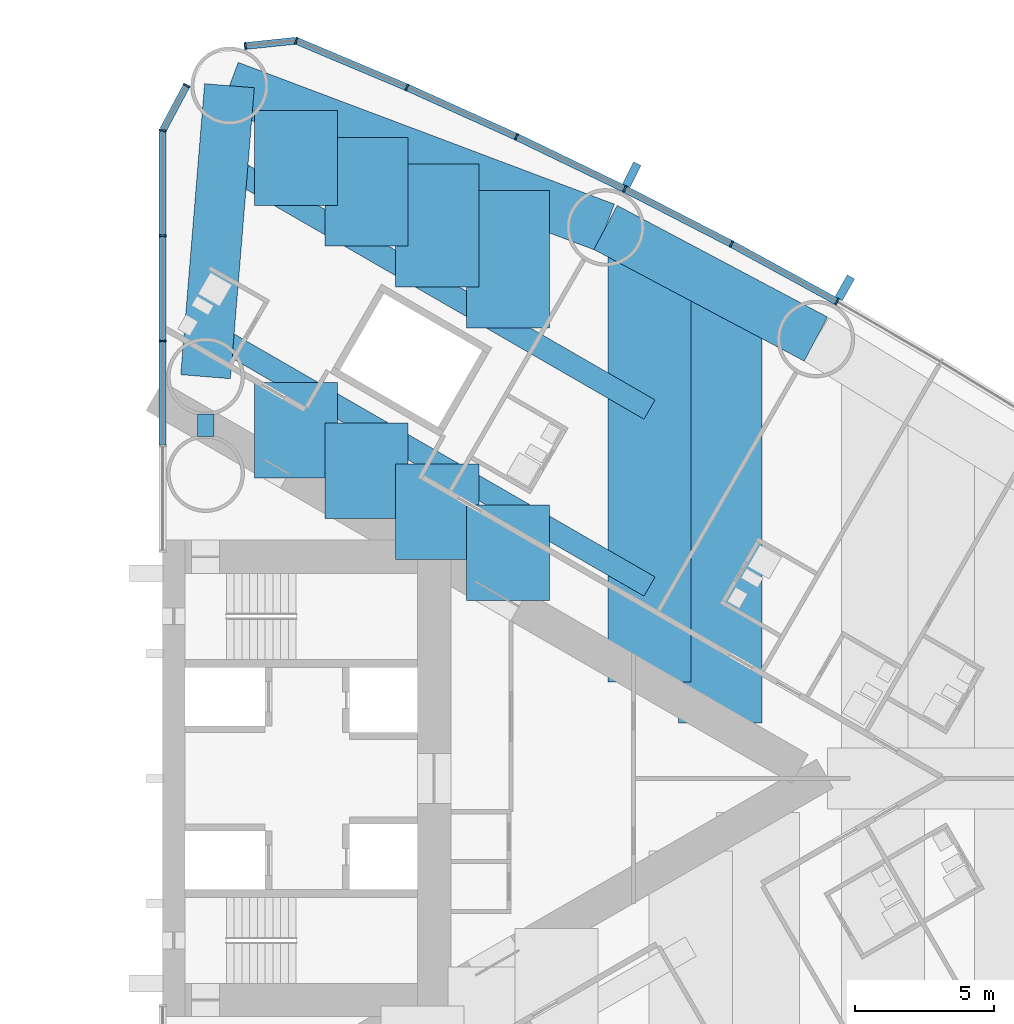
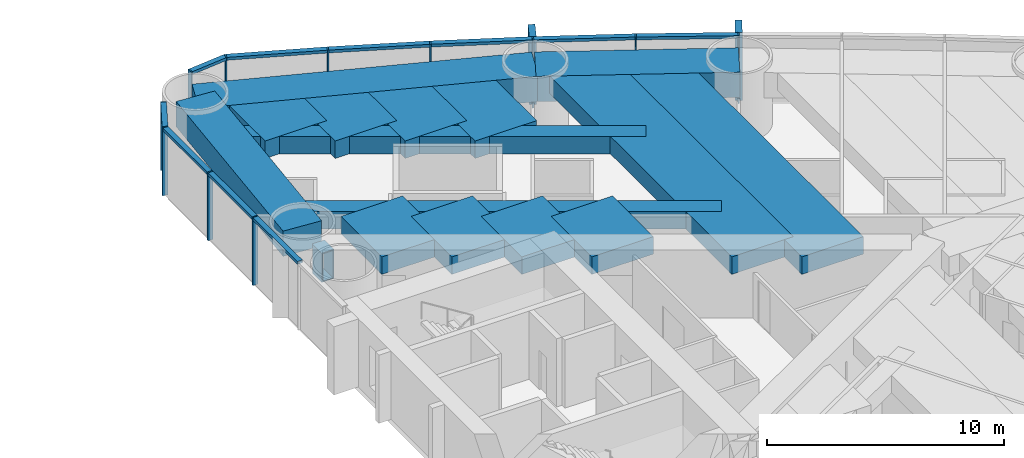
# One storey, part 7 of 19: 23 members, 16 beams, 2 elements without a shape of their own.
"""IFC4 building model written with IfcOpenShell, lengths in metres."""

import ifcopenshell
import ifcopenshell.guid

model = None  # the IFC model being written
_history = None  # IfcOwnerHistory: only IFC2X3 demands one
_inside = {}  # id of a spatial element -> (the spatial element, [elements in it])
_under = {}  # id of a project, library or spatial element -> (it, [spatial elements below it])
_declared = {}  # id of a project -> (the project, [libraries it declares])
_typed = {}  # id of a type object -> (the type object, [elements of that type])
_made_of = {}  # id of a material, layer set ... -> (it, [elements and type objects made of it])


def new_model(schema):
    """Start an empty IFC model of exactly this schema.

    Asked for "IFC4X3", IfcOpenShell would pick the latest addendum, in which some entities
    have other attributes; the version numbers below select the first issue.
    IFC2X3 requires an IfcOwnerHistory on every rooted entity: one is made here for all.
    """
    global model, _history
    if schema == "IFC4X3":
        model = ifcopenshell.file(schema_version=(4, 3, 0, 0))
    else:
        model = ifcopenshell.file(schema=schema)
    _inside.clear()
    _under.clear()
    _declared.clear()
    _typed.clear()
    _made_of.clear()
    _history = None
    if model.schema == "IFC2X3":
        org = make("IfcOrganization", Name="unknown")
        user = make(
            "IfcPersonAndOrganization",
            ThePerson=make("IfcPerson", FamilyName="unknown"),
            TheOrganization=org,
        )
        app = make(
            "IfcApplication",
            ApplicationDeveloper=org,
            Version="unknown",
            ApplicationFullName="unknown",
            ApplicationIdentifier="unknown",
        )
        _history = make(
            "IfcOwnerHistory",
            OwningUser=user,
            OwningApplication=app,
            ChangeAction="ADDED",
            CreationDate=0,
        )
    return model


def make(cls, **values):
    """One entity of the class cls with the attributes given. An attribute that is None is left unset."""
    return model.create_entity(
        cls, **{name: value for name, value in values.items() if value is not None}
    )


def rooted(cls, **values):
    """An entity with a GlobalId (a new one), such as an element, a storey or a relation."""
    return make(cls, GlobalId=ifcopenshell.guid.new(), OwnerHistory=_history, **values)


def si_unit(unit_type, name, prefix=None):
    """IfcSIUnit, for example si_unit("LENGTHUNIT", "METRE", prefix="MILLI")."""
    return make("IfcSIUnit", UnitType=unit_type, Prefix=prefix, Name=name)


def assignment(units):
    """IfcUnitAssignment: the units of a project."""
    return None if units is None else make("IfcUnitAssignment", Units=units)


def point(xyz):
    """IfcCartesianPoint."""
    return None if xyz is None else make("IfcCartesianPoint", Coordinates=xyz)


def direction(xyz):
    """IfcDirection."""
    return None if xyz is None else make("IfcDirection", DirectionRatios=xyz)


def frame(location, z_axis=None, x_axis=None):
    """IfcAxis2Placement3D, a coordinate frame: its origin and axes. An axis left out is left unset."""
    return make(
        "IfcAxis2Placement3D",
        Location=point(location),
        Axis=direction(z_axis),
        RefDirection=direction(x_axis),
    )


def frame_2d(location, x_axis=None):
    """IfcAxis2Placement2D, a coordinate frame in the plane: its origin and x axis."""
    return make(
        "IfcAxis2Placement2D", Location=point(location), RefDirection=direction(x_axis)
    )


def origin():
    """The frame at (0, 0, 0) with its axes left unset."""
    return frame((0.0, 0.0, 0.0))


def origin_2d():
    """The frame at (0, 0) in the plane with its x axis left unset."""
    return frame_2d((0.0, 0.0))


def place(relative_to, where):
    """IfcLocalPlacement: puts the frame where relative to a parent placement (None: the world)."""
    return make(
        "IfcLocalPlacement", PlacementRelTo=relative_to, RelativePlacement=where
    )


def context(
    kind, dimensions, precision=None, world=None, true_north=None, identifier=None
):
    """IfcGeometricRepresentationContext, for example the 3D "Model" context."""
    return make(
        "IfcGeometricRepresentationContext",
        ContextIdentifier=identifier,
        ContextType=kind,
        CoordinateSpaceDimension=dimensions,
        Precision=precision,
        WorldCoordinateSystem=world,
        TrueNorth=true_north,
    )


def subcontext(parent, identifier, kind, view, scale=None):
    """IfcGeometricRepresentationSubContext, for example "Body" below "Model"."""
    return make(
        "IfcGeometricRepresentationSubContext",
        ContextIdentifier=identifier,
        ContextType=kind,
        ParentContext=parent,
        TargetScale=scale,
        TargetView=view,
    )


def project(units=None, contexts=None):
    """IfcProject with its units and contexts."""
    return rooted(
        "IfcProject",
        Name="project",
        RepresentationContexts=contexts,
        UnitsInContext=assignment(units),
    )


def spatial(cls, under=None, at=None, **own):
    """A site, building, storey or space (cls), placed at a placement, below another one or the project."""
    s = rooted(cls, ObjectPlacement=at, **own)
    if under is not None:
        _under.setdefault(under.id(), (under, []))[1].append(s)
    return s


def profile(cls, at=None, kind="AREA", **sizes):
    """A parametric profile (cls). Its sizes go by their IFC names, for example OverallWidth=200.0."""
    return make(cls, ProfileType=kind, Position=at, **sizes)


def rectangle(**sizes):
    """IfcRectangleProfileDef."""
    return profile("IfcRectangleProfileDef", **sizes)


def hollow_rectangle(**sizes):
    """IfcRectangleHollowProfileDef."""
    return profile("IfcRectangleHollowProfileDef", **sizes)


def extrude(swept, where, along, depth):
    """IfcExtrudedAreaSolid: the profile swept, set in the frame where, extruded along a direction by depth."""
    return make(
        "IfcExtrudedAreaSolid",
        SweptArea=swept,
        Position=where,
        ExtrudedDirection=direction(along),
        Depth=depth,
    )


def shape(context_of_items, identifier, shape_type, items):
    """IfcShapeRepresentation: the items that make up one representation, for example the "Body"."""
    return make(
        "IfcShapeRepresentation",
        ContextOfItems=context_of_items,
        RepresentationIdentifier=identifier,
        RepresentationType=shape_type,
        Items=items,
    )


def material(Name=None, Category=None):
    """IfcMaterial."""
    return make("IfcMaterial", Name=Name, Category=Category)


def material_profile(
    of_material, cross_section, Name=None, Category=None, Priority=None
):
    """IfcMaterialProfile: a cross section and its material."""
    return make(
        "IfcMaterialProfile",
        Name=Name,
        Material=of_material,
        Profile=cross_section,
        Priority=Priority,
        Category=Category,
    )


def profile_set(profiles, Name=None, composite=None):
    """IfcMaterialProfileSet."""
    return make(
        "IfcMaterialProfileSet",
        Name=Name,
        MaterialProfiles=profiles,
        CompositeProfile=composite,
    )


def made_of(thing, what):
    """Note that an element or type object is made of a material, layer set ...; save() writes the relation."""
    if what is not None:
        _made_of.setdefault(what.id(), (what, []))[1].append(thing)
    return thing


def type_object(cls, material=None, **own):
    """A type object (cls), such as IfcWallType, which elements share."""
    return made_of(rooted(cls, **own), material)


def element(
    cls,
    number,
    at=None,
    inside=None,
    cuts=None,
    type_object=None,
    material=None,
    context=None,
    identifier="Body",
    shape_type=None,
    held_by="IfcProductDefinitionShape",
    body=None,
    shapes=None,
    **own,
):
    """One element of the class cls, such as IfcWall. Its Tag is "e" and its number.

    at: its placement. inside: the storey or other place that contains it. cuts: it is an
    opening in that element (IfcRelVoidsElement). A single representation is given by context,
    identifier, shape_type and body (its items); several are given by shapes. held_by: the class
    of the entity that holds the representations. save() writes the other relations.
    """
    e = rooted(cls, Tag="e%d" % number, ObjectPlacement=at, **own)
    if body is not None:
        shapes = [shape(context, identifier, shape_type, body)]
    if shapes is not None:
        e.Representation = make(held_by, Representations=shapes)
    if inside is not None:
        _inside.setdefault(inside.id(), (inside, []))[1].append(e)
    if cuts is not None:
        rooted(
            "IfcRelVoidsElement", RelatingBuildingElement=cuts, RelatedOpeningElement=e
        )
    if type_object is not None:
        _typed.setdefault(type_object.id(), (type_object, []))[1].append(e)
    return made_of(e, material)


def aggregate(whole, parts):
    """IfcRelAggregates: a whole, such as a stair, and the parts it consists of."""
    return rooted("IfcRelAggregates", RelatingObject=whole, RelatedObjects=parts)


def save(model, path):
    """Write the relations noted so far, then the file.

    IfcRelAggregates (storeys below a building ...), IfcRelContainedInSpatialStructure (elements
    in a storey), IfcRelDefinesByType, IfcRelAssociatesMaterial and IfcRelDeclares: one each for
    every whole, place, type object, material and project.
    """
    for whole, parts in _under.values():
        aggregate(whole, parts)
    for where, things in _inside.values():
        rooted(
            "IfcRelContainedInSpatialStructure",
            RelatedElements=things,
            RelatingStructure=where,
        )
    for kind, things in _typed.values():
        rooted("IfcRelDefinesByType", RelatedObjects=things, RelatingType=kind)
    for what, things in _made_of.values():
        rooted("IfcRelAssociatesMaterial", RelatedObjects=things, RelatingMaterial=what)
    for by, libraries in _declared.values():
        rooted("IfcRelDeclares", RelatingContext=by, RelatedDefinitions=libraries)
    model.write(path)


model = new_model("IFC4")

# Units and contexts
model_context = context("Model", 3, precision=1e-05, world=origin(), true_north=direction((0.0, 1.0)))
body_context = subcontext(model_context, "Body", "Model", "MODEL_VIEW")
ifc_project = project(units=[si_unit("LENGTHUNIT", "METRE"), si_unit("AREAUNIT", "SQUARE_METRE"), si_unit("VOLUMEUNIT", "CUBIC_METRE"), si_unit("PLANEANGLEUNIT", "RADIAN"), si_unit("MASSUNIT", "GRAM", prefix="KILO")], contexts=[model_context])

# Site, building, storey
site_placement = place(None, origin())
site = spatial("IfcSite", under=ifc_project, at=site_placement, CompositionType="ELEMENT")
building_placement = place(site_placement, origin())
building = spatial("IfcBuilding", under=site, at=building_placement, Name="Lancet Gate Hotel", CompositionType="ELEMENT")
storey_placement = place(building_placement, frame((0.0, 0.0, 18.0)))
storey = spatial("IfcBuildingStorey", under=building, at=storey_placement, Name="L03", CompositionType="ELEMENT", Elevation=18.0)

# Curtain wall, members
ifc_material_1 = material(Name="Aluminium curtain wall", Category="aluminium")
curtain_wall_type = type_object("IfcCurtainWallType", Name="Tower unitised curtain wall", PredefinedType="USERDEFINED", material=ifc_material_1)
curtain_wall_1_placement = place(storey_placement, origin())
curtain_wall_1 = element("IfcCurtainWall", 1, at=curtain_wall_1_placement, inside=storey, type_object=curtain_wall_type, Name="T2 L03 curtain wall 3", ObjectType="UNITISED CURTAIN WALL", PredefinedType="USERDEFINED")
ifc_material_2 = material(Name="Aluminium mullion", Category="aluminium")
ifc_material_profile_1 = material_profile(ifc_material_2, rectangle(XDim=0.06494140625, YDim=0.25, at=origin_2d()), Name="MULLION 65x250")
ifc_profile_set_1 = profile_set([ifc_material_profile_1], Name="Aluminium mullion")
member_type_1 = type_object("IfcMemberType", Name="Aluminium mullion 65x250", PredefinedType="MULLION", material=ifc_profile_set_1)
member_1_placement = place(storey_placement, frame((51.838623046875, 17.208740234375, 0.0), z_axis=(0.0, 0.0, 1.0), x_axis=(-0.871190450382, 0.490945209941, 0.0)))
member_1 = element("IfcMember", 2, at=member_1_placement, type_object=member_type_1, Name="T2 L03 curtain wall 3 mullion 8", PredefinedType="MULLION", context=body_context, shape_type="SweptSolid", body=[
    extrude(rectangle(XDim=0.06494140625, YDim=0.25, at=origin_2d()), origin(), (0.0, 0.0, 1.0), 3.5),
])
member_2_placement = place(storey_placement, frame((48.03271484375, 19.2900390625, 0.0), z_axis=(0.0, 0.0, 1.0), x_axis=(-0.88340346743, 0.468613181347, 0.0)))
member_2 = element("IfcMember", 3, at=member_2_placement, type_object=member_type_1, Name="T2 L03 curtain wall 3 mullion 9", PredefinedType="MULLION", context=body_context, shape_type="SweptSolid", body=[
    extrude(rectangle(XDim=0.06494140625, YDim=0.25, at=origin_2d()), origin(), (0.0, 0.0, 1.0), 3.5),
])
member_3_placement = place(storey_placement, frame((44.17529296875, 21.273681640625, 0.0), z_axis=(0.0, 0.0, 1.0), x_axis=(-0.895044147438, 0.445977548917, 0.0)))
member_3 = element("IfcMember", 4, at=member_3_placement, type_object=member_type_1, Name="T2 L03 curtain wall 3 mullion 10", PredefinedType="MULLION", context=body_context, shape_type="SweptSolid", body=[
    extrude(rectangle(XDim=0.06494140625, YDim=0.25, at=origin_2d()), origin(), (0.0, 0.0, 1.0), 3.5),
])
member_4_placement = place(storey_placement, frame((40.2685546875, 23.15869140625, 0.0), z_axis=(0.0, 0.0, 1.0), x_axis=(-0.906104948671, 0.423052977762, 0.0)))
member_4 = element("IfcMember", 5, at=member_4_placement, type_object=member_type_1, Name="T2 L03 curtain wall 3 mullion 11", PredefinedType="MULLION", context=body_context, shape_type="SweptSolid", body=[
    extrude(rectangle(XDim=0.06494140625, YDim=0.25, at=origin_2d()), origin(), (0.0, 0.0, 1.0), 3.5),
])
member_5_placement = place(storey_placement, frame((36.31494140625, 24.943603515625, 0.0), z_axis=(0.0, 0.0, 1.0), x_axis=(-0.916578705089, 0.399854320193, 0.0)))
member_5 = element("IfcMember", 6, at=member_5_placement, type_object=member_type_1, Name="T2 L03 curtain wall 3 mullion 12", PredefinedType="MULLION", context=body_context, shape_type="SweptSolid", body=[
    extrude(rectangle(XDim=0.06494140625, YDim=0.25, at=origin_2d()), origin(), (0.0, 0.0, 1.0), 3.5),
])
member_6_placement = place(storey_placement, frame((32.3173828125, 26.62744140625, 0.0), z_axis=(0.0, 0.0, 1.0), x_axis=(-0.968721492963, 0.248150496819, 0.0)))
member_6 = element("IfcMember", 7, at=member_6_placement, type_object=member_type_1, Name="T2 L03 curtain wall 3 mullion 13", PredefinedType="MULLION", context=body_context, shape_type="SweptSolid", body=[
    extrude(rectangle(XDim=0.06494140625, YDim=0.25, at=origin_2d()), origin(), (0.0, 0.0, 1.0), 3.5),
])
member_7_placement = place(storey_placement, frame((30.48388671875, 26.4375, 0.0), z_axis=(0.0, 0.0, 1.0), x_axis=(-0.994672262412, -0.10308778001, 0.0)))
member_7 = element("IfcMember", 8, at=member_7_placement, type_object=member_type_1, Name="T2 L03 curtain wall 3 mullion 14", PredefinedType="MULLION", context=body_context, shape_type="SweptSolid", body=[
    extrude(rectangle(XDim=0.06494140625, YDim=0.25, at=origin_2d()), origin(), (0.0, 0.0, 1.0), 3.5),
])

curtain_wall_2_placement = place(storey_placement, origin())
curtain_wall_2 = element("IfcCurtainWall", 9, at=curtain_wall_2_placement, inside=storey, type_object=curtain_wall_type, Name="T2 L03 curtain wall 4", ObjectType="UNITISED CURTAIN WALL", PredefinedType="USERDEFINED")
member_8_placement = place(storey_placement, frame((28.366455078125, 25.012451171875, 0.0), z_axis=(0.0, 0.0, 1.0), x_axis=(-0.469897827284, -0.882720811987, 0.0)))
member_8 = element("IfcMember", 10, at=member_8_placement, type_object=member_type_1, Name="T2 L03 curtain wall 4 mullion 1", PredefinedType="MULLION", context=body_context, shape_type="SweptSolid", body=[
    extrude(rectangle(XDim=0.06494140625, YDim=0.25, at=origin_2d()), origin(), (0.0, 0.0, 1.0), 3.5),
])
member_9_placement = place(storey_placement, frame((27.5, 23.384765625, 0.0), z_axis=(0.0, 0.0, 1.0), x_axis=(-0.157751691459, -0.987478811844, 0.0)))
member_9 = element("IfcMember", 11, at=member_9_placement, type_object=member_type_1, Name="T2 L03 curtain wall 4 mullion 2", PredefinedType="MULLION", context=body_context, shape_type="SweptSolid", body=[
    extrude(rectangle(XDim=0.06494140625, YDim=0.25, at=origin_2d()), origin(), (0.0, 0.0, 1.0), 3.5),
])
member_10_placement = place(storey_placement, frame((27.5, 19.588623046875, 0.0), z_axis=(0.0, 0.0, 1.0), x_axis=(0.0, -1.0, 0.0)))
member_10 = element("IfcMember", 12, at=member_10_placement, type_object=member_type_1, Name="T2 L03 curtain wall 4 mullion 3", PredefinedType="MULLION", context=body_context, shape_type="SweptSolid", body=[
    extrude(rectangle(XDim=0.06494140625, YDim=0.25, at=origin_2d()), origin(), (0.0, 0.0, 1.0), 3.5),
])
member_11_placement = place(storey_placement, frame((27.5, 15.79248046875, 0.0), z_axis=(0.0, 0.0, 1.0), x_axis=(0.0, -1.0, 0.0)))
member_11 = element("IfcMember", 13, at=member_11_placement, type_object=member_type_1, Name="T2 L03 curtain wall 4 mullion 4", PredefinedType="MULLION", context=body_context, shape_type="SweptSolid", body=[
    extrude(rectangle(XDim=0.06494140625, YDim=0.25, at=origin_2d()), origin(), (0.0, 0.0, 1.0), 3.5),
])

# Member
ifc_material_3 = material(Name="Aluminium transom", Category="aluminium")
ifc_material_profile_2 = material_profile(ifc_material_3, rectangle(XDim=0.25, YDim=0.14990234375, at=origin_2d()), Name="TRANSOM 250x150")
ifc_profile_set_2 = profile_set([ifc_material_profile_2], Name="Aluminium transom")
member_type_2 = type_object("IfcMemberType", Name="Aluminium transom 250x150", PredefinedType="USERDEFINED", material=ifc_profile_set_2)
member_12_placement = place(storey_placement, frame((51.81005859375, 17.224365234375, 3.425048828125), z_axis=(-0.877377528879, 0.479800658417, 0.0), x_axis=(-0.479800658417, -0.877377528879, 0.0)))
member_12 = element("IfcMember", 14, at=member_12_placement, type_object=member_type_2, Name="T2 L03 curtain wall 3 transom 8", ObjectType="TRANSOM", PredefinedType="USERDEFINED", context=body_context, shape_type="SweptSolid", body=[
    extrude(rectangle(XDim=0.25, YDim=0.14990234375, at=origin_2d()), origin(), (0.0, 0.0, 1.0), 4.272705078125),
])

member_13_placement = place(storey_placement, frame((48.00390625, 19.304931640625, 3.425048828125), z_axis=(-0.88929576978, 0.457332520002, 0.0), x_axis=(-0.457332520002, -0.88929576978, 0.0)))
member_13 = element("IfcMember", 15, at=member_13_placement, type_object=member_type_2, Name="T2 L03 curtain wall 3 transom 9", ObjectType="TRANSOM", PredefinedType="USERDEFINED", context=body_context, shape_type="SweptSolid", body=[
    extrude(rectangle(XDim=0.25, YDim=0.14990234375, at=origin_2d()), origin(), (0.0, 0.0, 1.0), 4.272705078125),
])

member_14_placement = place(storey_placement, frame((44.14599609375, 21.287841796875, 3.425048828125), z_axis=(-0.900646499888, 0.434552508035, 0.0), x_axis=(-0.434552508035, -0.900646499888, 0.0)))
member_14 = element("IfcMember", 16, at=member_14_placement, type_object=member_type_2, Name="T2 L03 curtain wall 3 transom 10", ObjectType="TRANSOM", PredefinedType="USERDEFINED", context=body_context, shape_type="SweptSolid", body=[
    extrude(rectangle(XDim=0.25, YDim=0.14990234375, at=origin_2d()), origin(), (0.0, 0.0, 1.0), 4.272705078125),
])

member_15_placement = place(storey_placement, frame((40.23876953125, 23.172119140625, 3.425048828125), z_axis=(-0.911396871737, 0.411528543589, 0.0), x_axis=(-0.411528543589, -0.911396871737, 0.0)))
member_15 = element("IfcMember", 17, at=member_15_placement, type_object=member_type_2, Name="T2 L03 curtain wall 3 transom 11", ObjectType="TRANSOM", PredefinedType="USERDEFINED", context=body_context, shape_type="SweptSolid", body=[
    extrude(rectangle(XDim=0.25, YDim=0.14990234375, at=origin_2d()), origin(), (0.0, 0.0, 1.0), 4.272705078125),
])

member_16_placement = place(storey_placement, frame((36.28515625, 24.956298828125, 3.425048828125), z_axis=(-0.92159772617, 0.388146404233, 0.0), x_axis=(-0.388146404233, -0.92159772617, 0.0)))
member_16 = element("IfcMember", 18, at=member_16_placement, type_object=member_type_2, Name="T2 L03 curtain wall 3 transom 12", ObjectType="TRANSOM", PredefinedType="USERDEFINED", context=body_context, shape_type="SweptSolid", body=[
    extrude(rectangle(XDim=0.25, YDim=0.14990234375, at=origin_2d()), origin(), (0.0, 0.0, 1.0), 4.272705078125),
])

member_17_placement = place(storey_placement, frame((32.28515625, 26.6240234375, 3.425048828125), z_axis=(-0.994670452051, -0.103105246306, 0.0), x_axis=(0.103105246306, -0.994670452051, 0.0)))
member_17 = element("IfcMember", 19, at=member_17_placement, type_object=member_type_2, Name="T2 L03 curtain wall 3 transom 13", ObjectType="TRANSOM", PredefinedType="USERDEFINED", context=body_context, shape_type="SweptSolid", body=[
    extrude(rectangle(XDim=0.25, YDim=0.14990234375, at=origin_2d()), origin(), (0.0, 0.0, 1.0), 1.7783203125),
])

member_18_placement = place(storey_placement, frame((28.351318359375, 24.98388671875, 3.425048828125), z_axis=(-0.469904276347, -0.882717378933, 0.0), x_axis=(0.882717378933, -0.469904276347, 0.0)))
member_18 = element("IfcMember", 20, at=member_18_placement, type_object=member_type_2, Name="T2 L03 curtain wall 4 transom 1", ObjectType="TRANSOM", PredefinedType="USERDEFINED", context=body_context, shape_type="SweptSolid", body=[
    extrude(rectangle(XDim=0.25, YDim=0.14990234375, at=origin_2d()), origin(), (0.0, 0.0, 1.0), 1.779052734375),
])

member_19_placement = place(storey_placement, frame((27.5, 23.352294921875, 3.425048828125), z_axis=(0.0, -1.0, 0.0), x_axis=(1.0, 0.0, 0.0)))
member_19 = element("IfcMember", 21, at=member_19_placement, type_object=member_type_2, Name="T2 L03 curtain wall 4 transom 2", ObjectType="TRANSOM", PredefinedType="USERDEFINED", context=body_context, shape_type="SweptSolid", body=[
    extrude(rectangle(XDim=0.25, YDim=0.14990234375, at=origin_2d()), origin(), (0.0, 0.0, 1.0), 3.731201171875),
])

member_20_placement = place(storey_placement, frame((27.5, 19.55615234375, 3.425048828125), z_axis=(0.0, -1.0, 0.0), x_axis=(1.0, 0.0, 0.0)))
member_20 = element("IfcMember", 22, at=member_20_placement, type_object=member_type_2, Name="T2 L03 curtain wall 4 transom 3", ObjectType="TRANSOM", PredefinedType="USERDEFINED", context=body_context, shape_type="SweptSolid", body=[
    extrude(rectangle(XDim=0.25, YDim=0.14990234375, at=origin_2d()), origin(), (0.0, 0.0, 1.0), 3.731201171875),
])

member_21_placement = place(storey_placement, frame((27.5, 15.760009765625, 3.425048828125), z_axis=(0.0, -1.0, 0.0), x_axis=(1.0, 0.0, 0.0)))
member_21 = element("IfcMember", 23, at=member_21_placement, type_object=member_type_2, Name="T2 L03 curtain wall 4 transom 4", ObjectType="TRANSOM", PredefinedType="USERDEFINED", context=body_context, shape_type="SweptSolid", body=[
    extrude(rectangle(XDim=0.25, YDim=0.14990234375, at=origin_2d()), origin(), (0.0, 0.0, 1.0), 3.731201171875),
])

aggregate(curtain_wall_2, [member_8, member_9, member_10, member_11, member_18, member_19, member_20, member_21])

# Beams
ifc_material_4 = material(Name="Concrete C50/60", Category="concrete")
ifc_material_profile_3 = material_profile(ifc_material_4, rectangle(XDim=1.800048828125, YDim=1.300048828125, at=origin_2d()), Name="RC 1800x1300")
ifc_profile_set_3 = profile_set([ifc_material_profile_3], Name="Concrete C50/60")
beam_type_1 = type_object("IfcBeamType", Name="Edge beam RC 1800x1300", PredefinedType="SPANDREL", material=ifc_profile_set_3)
beam_1_placement = place(storey_placement, frame((51.07763671875, 15.8583984375, 2.60009765625), z_axis=(-0.883403493655, 0.46861313191, 0.0), x_axis=(-0.46861313191, -0.883403493655, 0.0)))
element("IfcBeam", 24, at=beam_1_placement, inside=storey, type_object=beam_type_1, Name="T2 edge beam EB1 L03", PredefinedType="SPANDREL", context=body_context, shape_type="SweptSolid", body=[
    extrude(rectangle(XDim=1.800048828125, YDim=1.300048828125, at=origin_2d()), origin(), (0.0, 0.0, 1.0), 8.595703125),
])
beam_2_placement = place(storey_placement, frame((43.484130859375, 19.886474609375, 2.60009765625), z_axis=(-0.935736448066, 0.352700013836, 0.0), x_axis=(-0.352700013836, -0.935736448066, 0.0)))
element("IfcBeam", 25, at=beam_2_placement, inside=storey, type_object=beam_type_1, Name="T2 edge beam EB1 L03", PredefinedType="SPANDREL", context=body_context, shape_type="SweptSolid", body=[
    extrude(rectangle(XDim=1.800048828125, YDim=1.300048828125, at=origin_2d()), origin(), (0.0, 0.0, 1.0), 14.505126953125),
])
beam_3_placement = place(storey_placement, frame((29.050048828125, 14.5, 2.60009765625), z_axis=(0.081714744052, 0.996655758326, 0.0), x_axis=(-0.996655758326, 0.081714744052, 0.0)))
element("IfcBeam", 26, at=beam_3_placement, inside=storey, type_object=beam_type_1, Name="T2 edge beam EB1 L03", PredefinedType="SPANDREL", context=body_context, shape_type="SweptSolid", body=[
    extrude(rectangle(XDim=1.800048828125, YDim=1.300048828125, at=origin_2d()), origin(), (0.0, 0.0, 1.0), 10.53759765625),
])

# Member
ifc_material_5 = material(Name="Precast concrete C50/60", Category="concrete")
ifc_material_profile_4 = material_profile(ifc_material_5, rectangle(XDim=0.300048828125, YDim=0.89990234375, at=origin_2d()), Name="FIN 300x900")
ifc_profile_set_4 = profile_set([ifc_material_profile_4], Name="Precast concrete C50/60")
member_type_3 = type_object("IfcMemberType", Name="Exposed concrete fin 300x900", PredefinedType="USERDEFINED", material=ifc_profile_set_4)
member_22_placement = place(storey_placement, frame((52.120849609375, 17.709716796875, 0.0), z_axis=(0.0, 0.0, 1.0), x_axis=(-0.871190450382, 0.490945209941, 0.0)))
member_22 = element("IfcMember", 27, at=member_22_placement, type_object=member_type_3, Name="T2 L03 curtain wall 3 fin 8", ObjectType="FIN", PredefinedType="USERDEFINED", context=body_context, shape_type="SweptSolid", body=[
    extrude(rectangle(XDim=0.300048828125, YDim=0.89990234375, at=origin_2d()), origin(), (0.0, 0.0, 1.0), 3.5),
])

member_23_placement = place(storey_placement, frame((44.431640625, 21.788330078125, 0.0), z_axis=(0.0, 0.0, 1.0), x_axis=(-0.895044147438, 0.445977548917, 0.0)))
member_23 = element("IfcMember", 28, at=member_23_placement, type_object=member_type_3, Name="T2 L03 curtain wall 3 fin 10", ObjectType="FIN", PredefinedType="USERDEFINED", context=body_context, shape_type="SweptSolid", body=[
    extrude(rectangle(XDim=0.300048828125, YDim=0.89990234375, at=origin_2d()), origin(), (0.0, 0.0, 1.0), 3.5),
])

aggregate(curtain_wall_1, [member_1, member_22, member_2, member_3, member_23, member_4, member_5, member_6, member_7, member_12, member_13, member_14, member_15, member_16, member_17])

# Beams
ifc_material_6 = material(Name="Concrete C50/60", Category="concrete")
ifc_material_profile_5 = material_profile(ifc_material_6, rectangle(XDim=3.0, YDim=0.89990234375, at=origin_2d()), Name="RC 3000x900")
ifc_profile_set_5 = profile_set([ifc_material_profile_5], Name="Concrete C50/60")
beam_type_2 = type_object("IfcBeamType", Name="Floor beam RC 3000x900", PredefinedType="BEAM", material=ifc_profile_set_5)
beam_4_placement = place(storey_placement, frame((45.072265625, 3.4814453125, 2.800048828125), z_axis=(0.0, 1.0, 0.0), x_axis=(-1.0, 0.0, 0.0)))
element("IfcBeam", 29, at=beam_4_placement, inside=storey, type_object=beam_type_2, Name="T2 floor beam F12N L03", PredefinedType="BEAM", context=body_context, shape_type="SweptSolid", body=[
    extrude(rectangle(XDim=3.0, YDim=0.89990234375, at=origin_2d()), origin(), (0.0, 0.0, 1.0), 15.5625),
])
beam_5_placement = place(storey_placement, frame((47.62548828125, 2.00732421875, 2.800048828125), z_axis=(0.0, 1.0, 0.0), x_axis=(-1.0, 0.0, 0.0)))
element("IfcBeam", 30, at=beam_5_placement, inside=storey, type_object=beam_type_2, Name="T2 floor beam F14N L03", PredefinedType="BEAM", context=body_context, shape_type="SweptSolid", body=[
    extrude(rectangle(XDim=3.0, YDim=0.89990234375, at=origin_2d()), origin(), (0.0, 0.0, 1.0), 15.68212890625),
])
beam_6_placement = place(storey_placement, frame((32.306396484375, 10.851806640625, 2.800048828125), z_axis=(0.0, 1.0, 0.0), x_axis=(-1.0, 0.0, 0.0)))
element("IfcBeam", 31, at=beam_6_placement, inside=storey, type_object=beam_type_2, Name="T2 floor beam F04NA L03", PredefinedType="BEAM", context=body_context, shape_type="SweptSolid", body=[
    extrude(rectangle(XDim=3.0, YDim=0.89990234375, at=origin_2d()), origin(), (0.0, 0.0, 1.0), 3.44580078125),
])
beam_7_placement = place(storey_placement, frame((32.306396484375, 20.68603515625, 2.800048828125), z_axis=(0.0, 1.0, 0.0), x_axis=(-1.0, 0.0, 0.0)))
element("IfcBeam", 32, at=beam_7_placement, inside=storey, type_object=beam_type_2, Name="T2 floor beam F04NB L03", PredefinedType="BEAM", context=body_context, shape_type="SweptSolid", body=[
    extrude(rectangle(XDim=3.0, YDim=0.89990234375, at=origin_2d()), origin(), (0.0, 0.0, 1.0), 3.41357421875),
])
beam_8_placement = place(storey_placement, frame((34.859619140625, 9.377685546875, 2.800048828125), z_axis=(0.0, 1.0, 0.0), x_axis=(-1.0, 0.0, 0.0)))
element("IfcBeam", 33, at=beam_8_placement, inside=storey, type_object=beam_type_2, Name="T2 floor beam F06NA L03", PredefinedType="BEAM", context=body_context, shape_type="SweptSolid", body=[
    extrude(rectangle(XDim=3.0, YDim=0.89990234375, at=origin_2d()), origin(), (0.0, 0.0, 1.0), 3.445556640625),
])
beam_9_placement = place(storey_placement, frame((34.859619140625, 19.211669921875, 2.800048828125), z_axis=(0.0, 1.0, 0.0), x_axis=(-1.0, 0.0, 0.0)))
element("IfcBeam", 34, at=beam_9_placement, inside=storey, type_object=beam_type_2, Name="T2 floor beam F06NB L03", PredefinedType="BEAM", context=body_context, shape_type="SweptSolid", body=[
    extrude(rectangle(XDim=3.0, YDim=0.89990234375, at=origin_2d()), origin(), (0.0, 0.0, 1.0), 3.925537109375),
])
beam_10_placement = place(storey_placement, frame((37.412841796875, 7.903564453125, 2.800048828125), z_axis=(0.0, 1.0, 0.0), x_axis=(-1.0, 0.0, 0.0)))
element("IfcBeam", 35, at=beam_10_placement, inside=storey, type_object=beam_type_2, Name="T2 floor beam F08NA L03", PredefinedType="BEAM", context=body_context, shape_type="SweptSolid", body=[
    extrude(rectangle(XDim=3.0, YDim=0.89990234375, at=origin_2d()), origin(), (0.0, 0.0, 1.0), 3.4453125),
])
beam_11_placement = place(storey_placement, frame((37.412841796875, 17.7373046875, 2.800048828125), z_axis=(0.0, 1.0, 0.0), x_axis=(-1.0, 0.0, 0.0)))
element("IfcBeam", 36, at=beam_11_placement, inside=storey, type_object=beam_type_2, Name="T2 floor beam F08NB L03", PredefinedType="BEAM", context=body_context, shape_type="SweptSolid", body=[
    extrude(rectangle(XDim=3.0, YDim=0.89990234375, at=origin_2d()), origin(), (0.0, 0.0, 1.0), 4.4375),
])
beam_12_placement = place(storey_placement, frame((39.9658203125, 6.429443359375, 2.800048828125), z_axis=(0.0, 1.0, 0.0), x_axis=(-1.0, 0.0, 0.0)))
element("IfcBeam", 37, at=beam_12_placement, inside=storey, type_object=beam_type_2, Name="T2 floor beam F10NA L03", PredefinedType="BEAM", context=body_context, shape_type="SweptSolid", body=[
    extrude(rectangle(XDim=3.0, YDim=0.89990234375, at=origin_2d()), origin(), (0.0, 0.0, 1.0), 3.445068359375),
])
beam_13_placement = place(storey_placement, frame((39.9658203125, 16.262939453125, 2.800048828125), z_axis=(0.0, 1.0, 0.0), x_axis=(-1.0, 0.0, 0.0)))
element("IfcBeam", 38, at=beam_13_placement, inside=storey, type_object=beam_type_2, Name="T2 floor beam F10NB L03", PredefinedType="BEAM", context=body_context, shape_type="SweptSolid", body=[
    extrude(rectangle(XDim=3.0, YDim=0.89990234375, at=origin_2d()), origin(), (0.0, 0.0, 1.0), 4.94970703125),
])
ifc_material_7 = material(Name="Steel S460QL", Category="steel")
ifc_material_profile_6 = material_profile(ifc_material_7, hollow_rectangle(XDim=0.60009765625, YDim=1.5, WallThickness=0.050048828125, at=origin_2d()), Name="BOX 1500x600x50")
ifc_profile_set_6 = profile_set([ifc_material_profile_6], Name="Steel S460QL")
beam_type_3 = type_object("IfcBeamType", Name="Inner-face link beam BOX 1500x600x50", PredefinedType="BEAM", material=ifc_profile_set_6)
beam_14_placement = place(storey_placement, frame((29.050048828125, 12.35009765625, 2.5), z_axis=(0.0, 1.0, 0.0), x_axis=(-1.0, 0.0, 0.0)))
element("IfcBeam", 39, at=beam_14_placement, inside=storey, type_object=beam_type_3, Name="T2 inner-face link beam LK1 L03", PredefinedType="BEAM", context=body_context, shape_type="SweptSolid", body=[
    extrude(hollow_rectangle(XDim=0.60009765625, YDim=1.5, WallThickness=0.050048828125, at=origin_2d()), origin(), (0.0, 0.0, 1.0), 0.7998046875),
])
ifc_material_8 = material(Name="Steel S460QL", Category="steel")
ifc_material_profile_7 = material_profile(ifc_material_8, hollow_rectangle(XDim=0.800048828125, YDim=0.89990234375, WallThickness=0.080078125, at=origin_2d()), Name="BOX 900x800x80")
ifc_profile_set_7 = profile_set([ifc_material_profile_7], Name="Steel S460QL")
beam_type_4 = type_object("IfcBeamType", Name="Trimmer beam BOX 900x800x80", PredefinedType="BEAM", material=ifc_profile_set_7)
beam_15_placement = place(storey_placement, frame((29.753173828125, 22.160400390625, 2.800048828125), z_axis=(0.865977575521, -0.500082831833, 0.0), x_axis=(0.500082831833, 0.865977575521, 0.0)))
element("IfcBeam", 40, at=beam_15_placement, inside=storey, type_object=beam_type_4, Name="T2 trimmer beam TR03N L03", PredefinedType="BEAM", context=body_context, shape_type="SweptSolid", body=[
    extrude(hollow_rectangle(XDim=0.800048828125, YDim=0.89990234375, WallThickness=0.080078125, at=origin_2d()), origin(), (0.0, 0.0, 1.0), 17.68994140625),
])
beam_16_placement = place(storey_placement, frame((29.753173828125, 15.77197265625, 2.800048828125), z_axis=(0.865983552212, -0.500072482045, 0.0), x_axis=(0.500072482045, 0.865983552212, 0.0)))
element("IfcBeam", 41, at=beam_16_placement, inside=storey, type_object=beam_type_4, Name="T2 trimmer beam TR04N L03", PredefinedType="BEAM", context=body_context, shape_type="SweptSolid", body=[
    extrude(hollow_rectangle(XDim=0.800048828125, YDim=0.89990234375, WallThickness=0.080078125, at=origin_2d()), origin(), (0.0, 0.0, 1.0), 17.689697265625),
])

save(model, "model.ifc")
